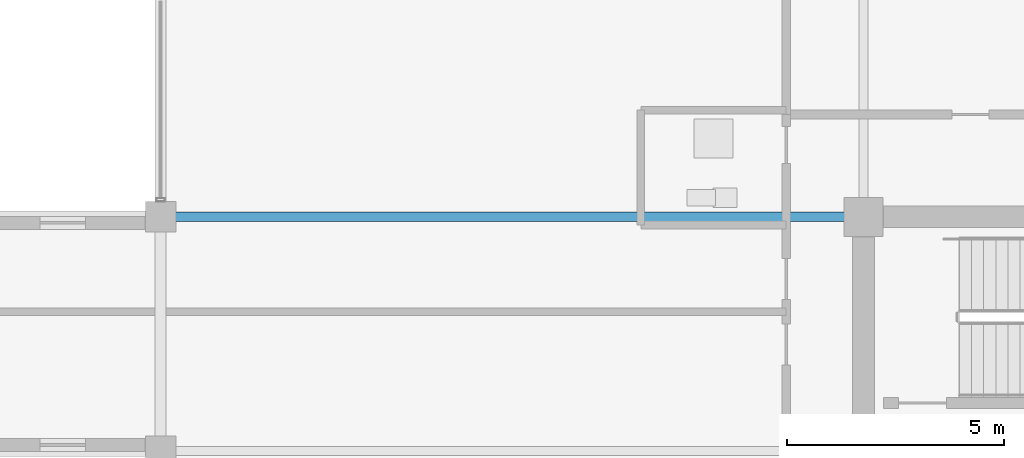
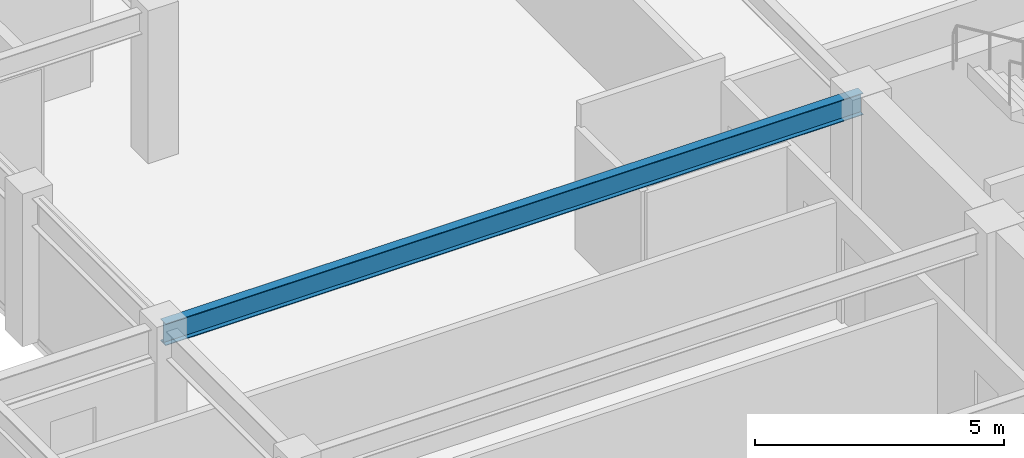
# One storey, part 14 of 31: 1 beam.
"""IFC4 building model written with IfcOpenShell, lengths in metres."""

import ifcopenshell
import ifcopenshell.guid

model = None  # the IFC model being written
_history = None  # IfcOwnerHistory: only IFC2X3 demands one
_inside = {}  # id of a spatial element -> (the spatial element, [elements in it])
_under = {}  # id of a project, library or spatial element -> (it, [spatial elements below it])
_declared = {}  # id of a project -> (the project, [libraries it declares])
_typed = {}  # id of a type object -> (the type object, [elements of that type])
_made_of = {}  # id of a material, layer set ... -> (it, [elements and type objects made of it])


def new_model(schema):
    """Start an empty IFC model of exactly this schema.

    Asked for "IFC4X3", IfcOpenShell would pick the latest addendum, in which some entities
    have other attributes; the version numbers below select the first issue.
    IFC2X3 requires an IfcOwnerHistory on every rooted entity: one is made here for all.
    """
    global model, _history
    if schema == "IFC4X3":
        model = ifcopenshell.file(schema_version=(4, 3, 0, 0))
    else:
        model = ifcopenshell.file(schema=schema)
    _inside.clear()
    _under.clear()
    _declared.clear()
    _typed.clear()
    _made_of.clear()
    _history = None
    if model.schema == "IFC2X3":
        org = make("IfcOrganization", Name="unknown")
        user = make(
            "IfcPersonAndOrganization",
            ThePerson=make("IfcPerson", FamilyName="unknown"),
            TheOrganization=org,
        )
        app = make(
            "IfcApplication",
            ApplicationDeveloper=org,
            Version="unknown",
            ApplicationFullName="unknown",
            ApplicationIdentifier="unknown",
        )
        _history = make(
            "IfcOwnerHistory",
            OwningUser=user,
            OwningApplication=app,
            ChangeAction="ADDED",
            CreationDate=0,
        )
    return model


def make(cls, **values):
    """One entity of the class cls with the attributes given. An attribute that is None is left unset."""
    return model.create_entity(
        cls, **{name: value for name, value in values.items() if value is not None}
    )


def rooted(cls, **values):
    """An entity with a GlobalId (a new one), such as an element, a storey or a relation."""
    return make(cls, GlobalId=ifcopenshell.guid.new(), OwnerHistory=_history, **values)


def si_unit(unit_type, name, prefix=None):
    """IfcSIUnit, for example si_unit("LENGTHUNIT", "METRE", prefix="MILLI")."""
    return make("IfcSIUnit", UnitType=unit_type, Prefix=prefix, Name=name)


def assignment(units):
    """IfcUnitAssignment: the units of a project."""
    return None if units is None else make("IfcUnitAssignment", Units=units)


def point(xyz):
    """IfcCartesianPoint."""
    return None if xyz is None else make("IfcCartesianPoint", Coordinates=xyz)


def direction(xyz):
    """IfcDirection."""
    return None if xyz is None else make("IfcDirection", DirectionRatios=xyz)


def frame(location, z_axis=None, x_axis=None):
    """IfcAxis2Placement3D, a coordinate frame: its origin and axes. An axis left out is left unset."""
    return make(
        "IfcAxis2Placement3D",
        Location=point(location),
        Axis=direction(z_axis),
        RefDirection=direction(x_axis),
    )


def frame_2d(location, x_axis=None):
    """IfcAxis2Placement2D, a coordinate frame in the plane: its origin and x axis."""
    return make(
        "IfcAxis2Placement2D", Location=point(location), RefDirection=direction(x_axis)
    )


def origin():
    """The frame at (0, 0, 0) with its axes left unset."""
    return frame((0.0, 0.0, 0.0))


def origin_2d():
    """The frame at (0, 0) in the plane with its x axis left unset."""
    return frame_2d((0.0, 0.0))


def place(relative_to, where):
    """IfcLocalPlacement: puts the frame where relative to a parent placement (None: the world)."""
    return make(
        "IfcLocalPlacement", PlacementRelTo=relative_to, RelativePlacement=where
    )


def context(
    kind, dimensions, precision=None, world=None, true_north=None, identifier=None
):
    """IfcGeometricRepresentationContext, for example the 3D "Model" context."""
    return make(
        "IfcGeometricRepresentationContext",
        ContextIdentifier=identifier,
        ContextType=kind,
        CoordinateSpaceDimension=dimensions,
        Precision=precision,
        WorldCoordinateSystem=world,
        TrueNorth=true_north,
    )


def subcontext(parent, identifier, kind, view, scale=None):
    """IfcGeometricRepresentationSubContext, for example "Body" below "Model"."""
    return make(
        "IfcGeometricRepresentationSubContext",
        ContextIdentifier=identifier,
        ContextType=kind,
        ParentContext=parent,
        TargetScale=scale,
        TargetView=view,
    )


def project(units=None, contexts=None):
    """IfcProject with its units and contexts."""
    return rooted(
        "IfcProject",
        Name="project",
        RepresentationContexts=contexts,
        UnitsInContext=assignment(units),
    )


def spatial(cls, under=None, at=None, **own):
    """A site, building, storey or space (cls), placed at a placement, below another one or the project."""
    s = rooted(cls, ObjectPlacement=at, **own)
    if under is not None:
        _under.setdefault(under.id(), (under, []))[1].append(s)
    return s


def profile(cls, at=None, kind="AREA", **sizes):
    """A parametric profile (cls). Its sizes go by their IFC names, for example OverallWidth=200.0."""
    return make(cls, ProfileType=kind, Position=at, **sizes)


def i_section(**sizes):
    """IfcIShapeProfileDef."""
    return profile("IfcIShapeProfileDef", **sizes)


def extrude(swept, where, along, depth):
    """IfcExtrudedAreaSolid: the profile swept, set in the frame where, extruded along a direction by depth."""
    return make(
        "IfcExtrudedAreaSolid",
        SweptArea=swept,
        Position=where,
        ExtrudedDirection=direction(along),
        Depth=depth,
    )


def shape(context_of_items, identifier, shape_type, items):
    """IfcShapeRepresentation: the items that make up one representation, for example the "Body"."""
    return make(
        "IfcShapeRepresentation",
        ContextOfItems=context_of_items,
        RepresentationIdentifier=identifier,
        RepresentationType=shape_type,
        Items=items,
    )


def material(Name=None, Category=None):
    """IfcMaterial."""
    return make("IfcMaterial", Name=Name, Category=Category)


def material_profile(
    of_material, cross_section, Name=None, Category=None, Priority=None
):
    """IfcMaterialProfile: a cross section and its material."""
    return make(
        "IfcMaterialProfile",
        Name=Name,
        Material=of_material,
        Profile=cross_section,
        Priority=Priority,
        Category=Category,
    )


def profile_set(profiles, Name=None, composite=None):
    """IfcMaterialProfileSet."""
    return make(
        "IfcMaterialProfileSet",
        Name=Name,
        MaterialProfiles=profiles,
        CompositeProfile=composite,
    )


def made_of(thing, what):
    """Note that an element or type object is made of a material, layer set ...; save() writes the relation."""
    if what is not None:
        _made_of.setdefault(what.id(), (what, []))[1].append(thing)
    return thing


def type_object(cls, material=None, **own):
    """A type object (cls), such as IfcWallType, which elements share."""
    return made_of(rooted(cls, **own), material)


def element(
    cls,
    number,
    at=None,
    inside=None,
    cuts=None,
    type_object=None,
    material=None,
    context=None,
    identifier="Body",
    shape_type=None,
    held_by="IfcProductDefinitionShape",
    body=None,
    shapes=None,
    **own,
):
    """One element of the class cls, such as IfcWall. Its Tag is "e" and its number.

    at: its placement. inside: the storey or other place that contains it. cuts: it is an
    opening in that element (IfcRelVoidsElement). A single representation is given by context,
    identifier, shape_type and body (its items); several are given by shapes. held_by: the class
    of the entity that holds the representations. save() writes the other relations.
    """
    e = rooted(cls, Tag="e%d" % number, ObjectPlacement=at, **own)
    if body is not None:
        shapes = [shape(context, identifier, shape_type, body)]
    if shapes is not None:
        e.Representation = make(held_by, Representations=shapes)
    if inside is not None:
        _inside.setdefault(inside.id(), (inside, []))[1].append(e)
    if cuts is not None:
        rooted(
            "IfcRelVoidsElement", RelatingBuildingElement=cuts, RelatedOpeningElement=e
        )
    if type_object is not None:
        _typed.setdefault(type_object.id(), (type_object, []))[1].append(e)
    return made_of(e, material)


def aggregate(whole, parts):
    """IfcRelAggregates: a whole, such as a stair, and the parts it consists of."""
    return rooted("IfcRelAggregates", RelatingObject=whole, RelatedObjects=parts)


def save(model, path):
    """Write the relations noted so far, then the file.

    IfcRelAggregates (storeys below a building ...), IfcRelContainedInSpatialStructure (elements
    in a storey), IfcRelDefinesByType, IfcRelAssociatesMaterial and IfcRelDeclares: one each for
    every whole, place, type object, material and project.
    """
    for whole, parts in _under.values():
        aggregate(whole, parts)
    for where, things in _inside.values():
        rooted(
            "IfcRelContainedInSpatialStructure",
            RelatedElements=things,
            RelatingStructure=where,
        )
    for kind, things in _typed.values():
        rooted("IfcRelDefinesByType", RelatedObjects=things, RelatingType=kind)
    for what, things in _made_of.values():
        rooted("IfcRelAssociatesMaterial", RelatedObjects=things, RelatingMaterial=what)
    for by, libraries in _declared.values():
        rooted("IfcRelDeclares", RelatingContext=by, RelatedDefinitions=libraries)
    model.write(path)


model = new_model("IFC4")

# Units and contexts
model_context = context("Model", 3, precision=1e-05, world=origin(), true_north=direction((0.0, 1.0)))
body_context = subcontext(model_context, "Body", "Model", "MODEL_VIEW")
ifc_project = project(units=[si_unit("LENGTHUNIT", "METRE"), si_unit("AREAUNIT", "SQUARE_METRE"), si_unit("VOLUMEUNIT", "CUBIC_METRE"), si_unit("PLANEANGLEUNIT", "RADIAN"), si_unit("MASSUNIT", "GRAM", prefix="KILO")], contexts=[model_context])

# Site, building, storey
site_placement = place(None, origin())
site = spatial("IfcSite", under=ifc_project, at=site_placement, CompositionType="ELEMENT")
building_placement = place(site_placement, origin())
building = spatial("IfcBuilding", under=site, at=building_placement, Name="Surkhivell Harbour Commons", CompositionType="ELEMENT")
storey_placement = place(building_placement, frame((0.0, 0.0, 266.25)))
storey = spatial("IfcBuildingStorey", under=building, at=storey_placement, Name="L69", CompositionType="ELEMENT", Elevation=266.25)

# Beam
ifc_material = material(Name="Steel S355", Category="steel")
ifc_material_profile = material_profile(ifc_material, i_section(OverallWidth=0.2099609375, OverallDepth=0.537109375, WebThickness=0.0107421875, FlangeThickness=0.017333984375, at=origin_2d()), Name="UB533x210x101")
ifc_profile_set = profile_set([ifc_material_profile], Name="Steel S355")
beam_type = type_object("IfcBeamType", Name="BM-GRD-533B", PredefinedType="BEAM", material=ifc_profile_set)
beam_placement = place(storey_placement, frame((-27.0, 10.800048828125, 3.301513671875), z_axis=(1.0, 0.0, 0.0), x_axis=(0.0, 1.0, 0.0)))
element("IfcBeam", 1, at=beam_placement, inside=storey, type_object=beam_type, Name="L69 Cantilever Back-Span Girder (-27.0,10.8)", PredefinedType="BEAM", context=body_context, shape_type="SweptSolid", body=[
    extrude(i_section(OverallWidth=0.2099609375, OverallDepth=0.537109375, WebThickness=0.0107421875, FlangeThickness=0.017333984375, at=origin_2d()), origin(), (0.0, 0.0, 1.0), 16.199951171875),
])

save(model, "model.ifc")
